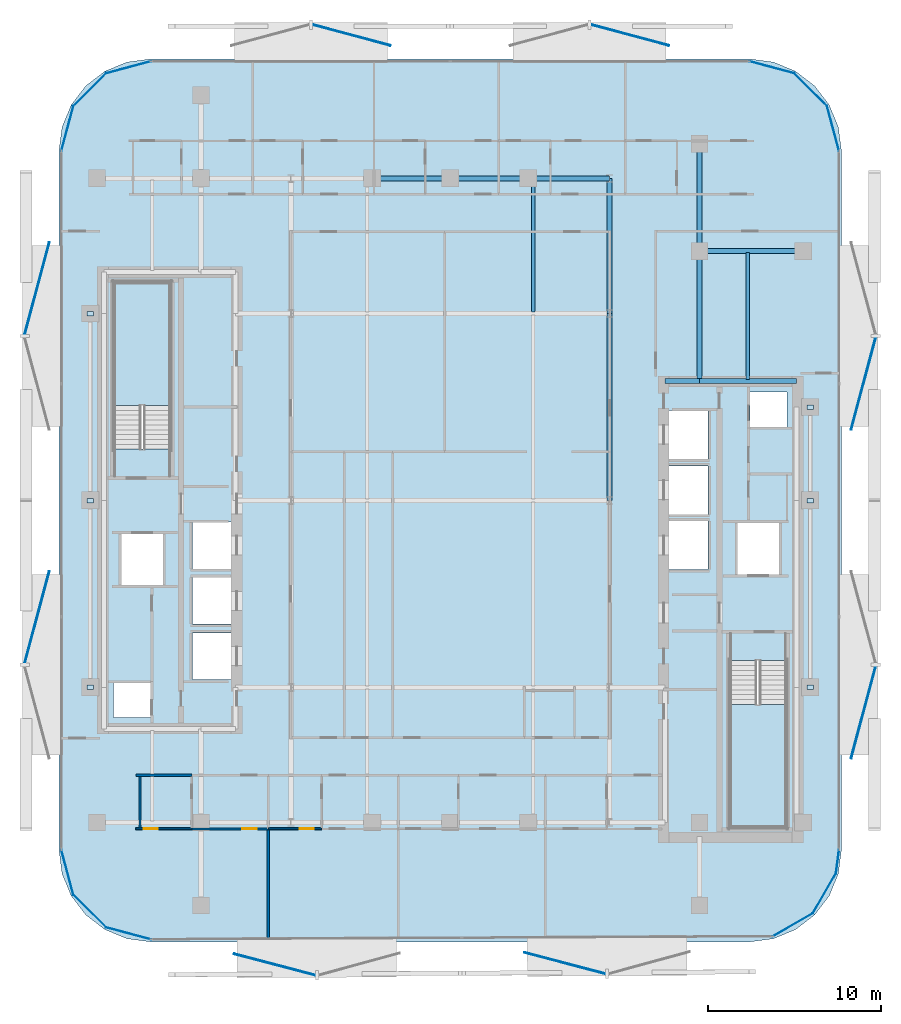
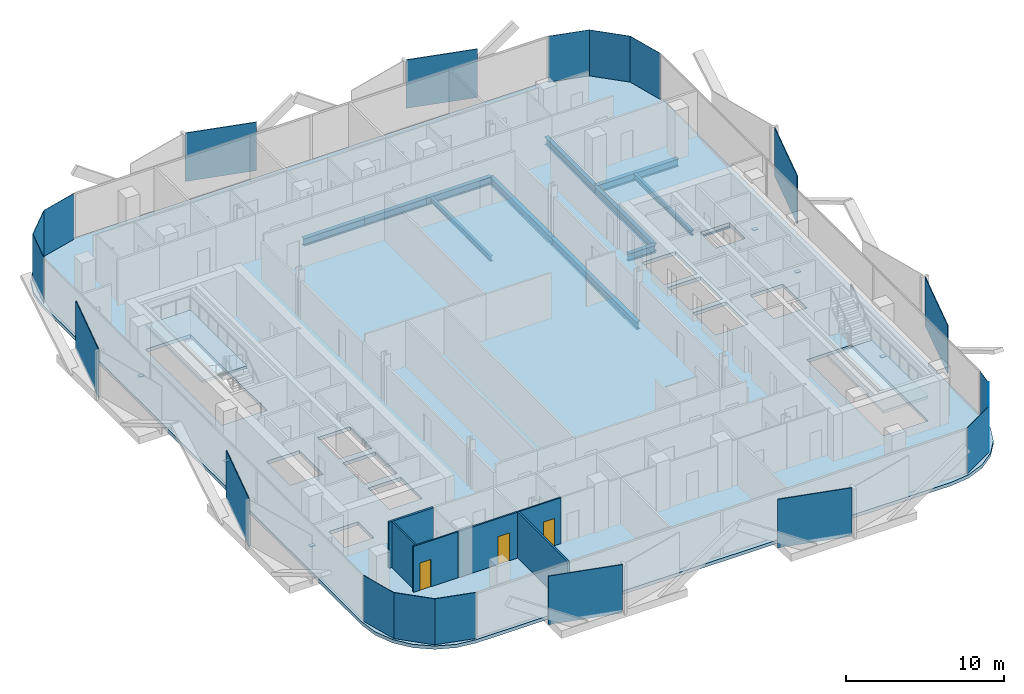
# One storey, part 2 of 17: 26 plates, 12 beams, 6 walls, 3 doors, 3 slabs, 3 openings, 2 elements without a shape of their own.
"""IFC4 building model written with IfcOpenShell, lengths in metres."""

from ifc_helpers import new_model, si_unit, direction, frame, frame_2d, origin, origin_2d, place, context, subcontext, project, spatial, polyline, rectangle, i_section, outline, extrude, material, layer, layer_set, material_profile, profile_set, type_object, element, fill, aggregate, save


model = new_model("IFC4")

# Units and contexts
model_context = context("Model", 3, precision=1e-05, world=origin(), true_north=direction((0.0, 1.0)))
body_context = subcontext(model_context, "Body", "Model", "MODEL_VIEW")
ifc_project = project(units=[si_unit("LENGTHUNIT", "METRE"), si_unit("AREAUNIT", "SQUARE_METRE"), si_unit("VOLUMEUNIT", "CUBIC_METRE"), si_unit("PLANEANGLEUNIT", "RADIAN"), si_unit("MASSUNIT", "GRAM", prefix="KILO")], contexts=[model_context])

# Site, building, storey
site_placement = place(None, origin())
site = spatial("IfcSite", under=ifc_project, at=site_placement, CompositionType="ELEMENT")
building_placement = place(site_placement, origin())
building = spatial("IfcBuilding", under=site, at=building_placement, Name="Khairoan Windgate Tower", CompositionType="ELEMENT")
storey_placement = place(building_placement, frame((0.0, 0.0, 191.60009765625)))
storey = spatial("IfcBuildingStorey", under=building, at=storey_placement, Name="L44", CompositionType="ELEMENT", Elevation=191.60009765625)

# Beams
ifc_material_1 = material(Name="Steel S355", Category="steel")
ifc_material_profile_1 = material_profile(ifc_material_1, i_section(OverallWidth=0.300048828125, OverallDepth=0.587890625, WebThickness=0.011962890625, FlangeThickness=0.02001953125, FilletRadius=0.02392578125, at=origin_2d()))
ifc_profile_set_1 = profile_set([ifc_material_profile_1], Name="Steel S355")
beam_type_1 = type_object("IfcBeamType", Name="Beam B-G4 H588x300x12x20", PredefinedType="BEAM", material=ifc_profile_set_1)
beam_1_placement = place(storey_placement, frame((12.39990234375, 6.89990234375, -0.55419921875), z_axis=(1.0, 0.0, 0.0), x_axis=(0.0, 1.0, 0.0)))
element("IfcBeam", 1, at=beam_1_placement, inside=storey, type_object=beam_type_1, Name="L44 E-W Primary Girder 15", PredefinedType="BEAM", context=body_context, shape_type="SweptSolid", body=[
    extrude(i_section(OverallWidth=0.300048828125, OverallDepth=0.587890625, WebThickness=0.011962890625, FlangeThickness=0.02001953125, FilletRadius=0.02392578125, at=origin_2d()), origin(), (0.0, 0.0, 1.0), 2.0),
])
beam_2_placement = place(storey_placement, frame((14.39990234375, 6.89990234375, -0.55419921875), z_axis=(1.0, 0.0, 0.0), x_axis=(0.0, 1.0, 0.0)))
element("IfcBeam", 2, at=beam_2_placement, inside=storey, type_object=beam_type_1, Name="L44 E-W Primary Girder 16", PredefinedType="BEAM", context=body_context, shape_type="SweptSolid", body=[
    extrude(i_section(OverallWidth=0.300048828125, OverallDepth=0.587890625, WebThickness=0.011962890625, FlangeThickness=0.02001953125, FilletRadius=0.02392578125, at=origin_2d()), origin(), (0.0, 0.0, 1.0), 5.60009765625),
])
beam_3_placement = place(storey_placement, frame((14.39990234375, 14.39990234375, -0.55419921875), z_axis=(1.0, 0.0, 0.0), x_axis=(0.0, 1.0, 0.0)))
element("IfcBeam", 3, at=beam_3_placement, inside=storey, type_object=beam_type_1, Name="L44 E-W Primary Girder 21", PredefinedType="BEAM", context=body_context, shape_type="SweptSolid", body=[
    extrude(i_section(OverallWidth=0.300048828125, OverallDepth=0.587890625, WebThickness=0.011962890625, FlangeThickness=0.02001953125, FilletRadius=0.02392578125, at=origin_2d()), origin(), (0.0, 0.0, 1.0), 6.0),
])
for number, where, z_axis, x_axis, name in (
    (4, (-4.5, 18.60009765625, -0.55419921875), (1.0, 0.0, 0.0), (0.0, 1.0, 0.0), "L44 E-W Primary Girder 25"),
    (5, (0.0, 18.60009765625, -0.55419921875), (1.0, 0.0, 0.0), (0.0, 1.0, 0.0), "L44 E-W Primary Girder 26"),
):
    element("IfcBeam", number, at=place(storey_placement, frame(where, z_axis=z_axis, x_axis=x_axis)), inside=storey, type_object=beam_type_1, Name=name, PredefinedType="BEAM", context=body_context, shape_type="SweptSolid", body=[
        extrude(i_section(OverallWidth=0.300048828125, OverallDepth=0.587890625, WebThickness=0.011962890625, FlangeThickness=0.02001953125, FilletRadius=0.02392578125, at=origin_2d()), origin(), (0.0, 0.0, 1.0), 4.5),
    ])
beam_4_placement = place(storey_placement, frame((4.5, 18.60009765625, -0.55419921875), z_axis=(1.0, 0.0, 0.0), x_axis=(0.0, 1.0, 0.0)))
element("IfcBeam", 6, at=beam_4_placement, inside=storey, type_object=beam_type_1, Name="L44 E-W Primary Girder 27", PredefinedType="BEAM", context=body_context, shape_type="SweptSolid", body=[
    extrude(i_section(OverallWidth=0.300048828125, OverallDepth=0.587890625, WebThickness=0.011962890625, FlangeThickness=0.02001953125, FilletRadius=0.02392578125, at=origin_2d()), origin(), (0.0, 0.0, 1.0), 4.699951171875),
])
beam_5_placement = place(storey_placement, frame((9.199951171875, 0.0, -0.55419921875), z_axis=(0.0, 1.0, 0.0), x_axis=(-1.0, 0.0, 0.0)))
element("IfcBeam", 7, at=beam_5_placement, inside=storey, type_object=beam_type_1, Name="L44 N-S Primary Beam 47", PredefinedType="BEAM", context=body_context, shape_type="SweptSolid", body=[
    extrude(i_section(OverallWidth=0.300048828125, OverallDepth=0.587890625, WebThickness=0.011962890625, FlangeThickness=0.02001953125, FilletRadius=0.02392578125, at=origin_2d()), origin(), (0.0, 0.0, 1.0), 10.800048828125),
])
beam_6_placement = place(storey_placement, frame((9.199951171875, 10.800048828125, -0.55419921875), z_axis=(0.0, 1.0, 0.0), x_axis=(-1.0, 0.0, 0.0)))
element("IfcBeam", 8, at=beam_6_placement, inside=storey, type_object=beam_type_1, Name="L44 N-S Primary Beam 48", PredefinedType="BEAM", context=body_context, shape_type="SweptSolid", body=[
    extrude(i_section(OverallWidth=0.300048828125, OverallDepth=0.587890625, WebThickness=0.011962890625, FlangeThickness=0.02001953125, FilletRadius=0.02392578125, at=origin_2d()), origin(), (0.0, 0.0, 1.0), 7.800048828125),
])
beam_7_placement = place(storey_placement, frame((14.39990234375, 6.89990234375, -0.55419921875), z_axis=(0.0, 1.0, 0.0), x_axis=(-1.0, 0.0, 0.0)))
element("IfcBeam", 9, at=beam_7_placement, inside=storey, type_object=beam_type_1, Name="L44 N-S Primary Beam 51", PredefinedType="BEAM", context=body_context, shape_type="SweptSolid", body=[
    extrude(i_section(OverallWidth=0.300048828125, OverallDepth=0.587890625, WebThickness=0.011962890625, FlangeThickness=0.02001953125, FilletRadius=0.02392578125, at=origin_2d()), origin(), (0.0, 0.0, 1.0), 7.5),
])
beam_8_placement = place(storey_placement, frame((14.39990234375, 14.39990234375, -0.55419921875), z_axis=(0.0, 1.0, 0.0), x_axis=(-1.0, 0.0, 0.0)))
element("IfcBeam", 10, at=beam_8_placement, inside=storey, type_object=beam_type_1, Name="L44 N-S Primary Beam 52", PredefinedType="BEAM", context=body_context, shape_type="SweptSolid", body=[
    extrude(i_section(OverallWidth=0.300048828125, OverallDepth=0.587890625, WebThickness=0.011962890625, FlangeThickness=0.02001953125, FilletRadius=0.02392578125, at=origin_2d()), origin(), (0.0, 0.0, 1.0), 6.2001953125),
])
ifc_material_2 = material(Name="Steel S355", Category="steel")
ifc_material_profile_2 = material_profile(ifc_material_2, i_section(OverallWidth=0.199951171875, OverallDepth=0.39990234375, WebThickness=0.008056640625, FlangeThickness=0.012939453125, FilletRadius=0.01611328125, at=origin_2d()))
ifc_profile_set_2 = profile_set([ifc_material_profile_2], Name="Steel S355")
beam_type_2 = type_object("IfcBeamType", Name="Beam J-S4 H400x200x8x13", PredefinedType="JOIST", material=ifc_profile_set_2)
beam_9_placement = place(storey_placement, frame((4.800048828125, 10.889892578125, -0.460205078125), z_axis=(0.0, 1.0, 0.0), x_axis=(-1.0, 0.0, 0.0)))
element("IfcBeam", 11, at=beam_9_placement, inside=storey, type_object=beam_type_2, Name="L44 Secondary Floor Joist 10", PredefinedType="JOIST", context=body_context, shape_type="SweptSolid", body=[
    extrude(i_section(OverallWidth=0.199951171875, OverallDepth=0.39990234375, WebThickness=0.008056640625, FlangeThickness=0.012939453125, FilletRadius=0.01611328125, at=origin_2d()), origin(), (0.0, 0.0, 1.0), 7.6201171875),
])
beam_10_placement = place(storey_placement, frame((17.199951171875, 6.989990234375, -0.460205078125), z_axis=(0.0, 1.0, 0.0), x_axis=(-1.0, 0.0, 0.0)))
element("IfcBeam", 12, at=beam_10_placement, inside=storey, type_object=beam_type_2, Name="L44 Secondary Floor Joist 11", PredefinedType="JOIST", context=body_context, shape_type="SweptSolid", body=[
    extrude(i_section(OverallWidth=0.199951171875, OverallDepth=0.39990234375, WebThickness=0.008056640625, FlangeThickness=0.012939453125, FilletRadius=0.01611328125, at=origin_2d()), origin(), (0.0, 0.0, 1.0), 7.320068359375),
])

# Plates
ifc_material_3 = material(Name="Low-E Solar Control Laminated Glass", Category="glass")
ifc_layer_1 = layer(ifc_material_3, 0.030029296875, Name="Low-E Solar Control Laminated Glass")
ifc_layer_set_1 = layer_set([ifc_layer_1], Name="Low-E Solar Control Laminated Glass")
plate_type_1 = type_object("IfcPlateType", Name="Aerodynamic Wind-Corner Curved Glazing Plate", PredefinedType="USERDEFINED", material=ifc_layer_set_1)
plate_1_placement = place(storey_placement, frame((-18.585205078125, -25.013916015625, 0.0), z_axis=(0.0, 0.0, 1.0), x_axis=(-0.966061211211, 0.258313252067, 0.0)))
element("IfcPlate", 13, at=plate_1_placement, inside=storey, type_object=plate_type_1, Name="L44 Aerodynamic Wind-Corner Curved Glazing Panel 2", ObjectType="GLAZING PANEL", PredefinedType="USERDEFINED", context=body_context, shape_type="SweptSolid", body=[
    extrude(rectangle(XDim=2.719482421875, YDim=0.030029296875, at=origin_2d()), origin(), (0.0, 0.0, 1.0), 3.5400390625),
])
plate_2_placement = place(storey_placement, frame((-20.823486328125, -23.723388671875, 0.0), z_axis=(0.0, 0.0, 1.0), x_axis=(-0.707106781187, 0.707106781187, 0.0)))
element("IfcPlate", 14, at=plate_2_placement, inside=storey, type_object=plate_type_1, Name="L44 Aerodynamic Wind-Corner Curved Glazing Panel 3", ObjectType="GLAZING PANEL", PredefinedType="USERDEFINED", context=body_context, shape_type="SweptSolid", body=[
    extrude(rectangle(XDim=2.710205078125, YDim=0.030029296875, at=origin_2d()), origin(), (0.0, 0.0, 1.0), 3.5400390625),
])
for number, where, z_axis, x_axis, name in (
    (15, (-22.11376953125, -21.485107421875, 0.0), (0.0, 0.0, 1.0), (-0.258313252067, 0.966061211211, 0.0), "L44 Aerodynamic Wind-Corner Curved Glazing Panel 4"),
    (16, (-22.11376953125, 21.485107421875, 0.0), (0.0, 0.0, 1.0), (0.258313252067, 0.966061211211, 0.0), "L44 Aerodynamic Wind-Corner Curved Glazing Panel 6"),
):
    element("IfcPlate", number, at=place(storey_placement, frame(where, z_axis=z_axis, x_axis=x_axis)), inside=storey, type_object=plate_type_1, Name=name, ObjectType="GLAZING PANEL", PredefinedType="USERDEFINED", context=body_context, shape_type="SweptSolid", body=[
        extrude(rectangle(XDim=2.719482421875, YDim=0.030029296875, at=origin_2d()), origin(), (0.0, 0.0, 1.0), 3.5400390625),
    ])
plate_3_placement = place(storey_placement, frame((-20.823486328125, 23.723388671875, 0.0), z_axis=(0.0, 0.0, 1.0), x_axis=(0.707106781187, 0.707106781187, 0.0)))
element("IfcPlate", 17, at=plate_3_placement, inside=storey, type_object=plate_type_1, Name="L44 Aerodynamic Wind-Corner Curved Glazing Panel 7", ObjectType="GLAZING PANEL", PredefinedType="USERDEFINED", context=body_context, shape_type="SweptSolid", body=[
    extrude(rectangle(XDim=2.710205078125, YDim=0.030029296875, at=origin_2d()), origin(), (0.0, 0.0, 1.0), 3.5400390625),
])
for number, where, z_axis, x_axis, name in (
    (18, (-18.585205078125, 25.013916015625, 0.0), (0.0, 0.0, 1.0), (0.966061211211, 0.258313252067, 0.0), "L44 Aerodynamic Wind-Corner Curved Glazing Panel 8"),
    (19, (18.585205078125, 25.013916015625, 0.0), (0.0, 0.0, 1.0), (0.966061211211, -0.258313252067, 0.0), "L44 Aerodynamic Wind-Corner Curved Glazing Panel 10"),
):
    element("IfcPlate", number, at=place(storey_placement, frame(where, z_axis=z_axis, x_axis=x_axis)), inside=storey, type_object=plate_type_1, Name=name, ObjectType="GLAZING PANEL", PredefinedType="USERDEFINED", context=body_context, shape_type="SweptSolid", body=[
        extrude(rectangle(XDim=2.719482421875, YDim=0.030029296875, at=origin_2d()), origin(), (0.0, 0.0, 1.0), 3.5400390625),
    ])
plate_4_placement = place(storey_placement, frame((20.823486328125, 23.723388671875, 0.0), z_axis=(0.0, 0.0, 1.0), x_axis=(0.707106781187, -0.707106781187, 0.0)))
element("IfcPlate", 20, at=plate_4_placement, inside=storey, type_object=plate_type_1, Name="L44 Aerodynamic Wind-Corner Curved Glazing Panel 11", ObjectType="GLAZING PANEL", PredefinedType="USERDEFINED", context=body_context, shape_type="SweptSolid", body=[
    extrude(rectangle(XDim=2.710205078125, YDim=0.030029296875, at=origin_2d()), origin(), (0.0, 0.0, 1.0), 3.5400390625),
])
plate_5_placement = place(storey_placement, frame((22.11376953125, 21.485107421875, 0.0), z_axis=(0.0, 0.0, 1.0), x_axis=(0.258313252067, -0.966061211211, 0.0)))
element("IfcPlate", 21, at=plate_5_placement, inside=storey, type_object=plate_type_1, Name="L44 Aerodynamic Wind-Corner Curved Glazing Panel 12", ObjectType="GLAZING PANEL", PredefinedType="USERDEFINED", context=body_context, shape_type="SweptSolid", body=[
    extrude(rectangle(XDim=2.719482421875, YDim=0.030029296875, at=origin_2d()), origin(), (0.0, 0.0, 1.0), 3.5400390625),
])
plate_6_placement = place(storey_placement, frame((22.37158203125, -20.863037109375, 0.0), z_axis=(0.0, 0.0, 1.0), x_axis=(-0.13052619222, -0.991444861374, 0.0)))
element("IfcPlate", 22, at=plate_6_placement, inside=storey, type_object=plate_type_1, Name="L44 Aerodynamic Wind-Corner Curved Glazing Panel 14", ObjectType="GLAZING PANEL", PredefinedType="USERDEFINED", context=body_context, shape_type="SweptSolid", body=[
    extrude(rectangle(XDim=1.39599609375, YDim=0.030029296875, at=origin_2d()), origin(), (0.0, 0.0, 1.0), 3.5400390625),
])
for number, where, z_axis, x_axis, name in (
    (23, (21.615478515625, -22.69140625, 0.0), (0.0, 0.0, 1.0), (-0.5, -0.866025403784, 0.0), "L44 Aerodynamic Wind-Corner Curved Glazing Panel 15"),
    (24, (19.79150390625, -24.515380859375, 0.0), (0.0, 0.0, 1.0), (-0.866025403784, -0.5, 0.0), "L44 Aerodynamic Wind-Corner Curved Glazing Panel 16"),
):
    element("IfcPlate", number, at=place(storey_placement, frame(where, z_axis=z_axis, x_axis=x_axis)), inside=storey, type_object=plate_type_1, Name=name, ObjectType="GLAZING PANEL", PredefinedType="USERDEFINED", context=body_context, shape_type="SweptSolid", body=[
        extrude(rectangle(XDim=2.71044921875, YDim=0.030029296875, at=origin_2d()), origin(), (0.0, 0.0, 1.0), 3.5400390625),
    ])
ifc_material_4 = material(Name="Steel S355", Category="steel")
ifc_layer_2 = layer(ifc_material_4, 0.0400390625, Name="Steel S355")
ifc_layer_set_2 = layer_set([ifc_layer_2], Name="Steel S355")
plate_type_2 = type_object("IfcPlateType", Name="Hollow Section End-Cap Plate PL-CAP40", PredefinedType="SHEET", material=ifc_layer_set_2)
for number, where, z_axis, x_axis, name in (
    (25, (-20.800048828125, -10.784912109375, -0.455078125), (0.0, 0.0, 1.0), (0.0, 1.0, 0.0), "BM-SP-L44-028 steel end-cap plate 1"),
    (26, (-20.800048828125, -0.014892578125, -0.455078125), (0.0, 0.0, 1.0), (0.0, 1.0, 0.0), "BM-SP-L44-028 steel end-cap plate 2"),
    (27, (-20.800048828125, 10.784912109375, -0.455078125), (0.0, 0.0, 1.0), (0.0, 1.0, 0.0), "BM-SP-L44-029 steel end-cap plate 2"),
    (28, (20.800048828125, -10.784912109375, -0.455078125), (0.0, 0.0, 1.0), (0.0, 1.0, 0.0), "BM-SP-L44-056 steel end-cap plate 1"),
    (29, (20.800048828125, -0.014892578125, -0.455078125), (0.0, 0.0, 1.0), (0.0, 1.0, 0.0), "BM-SP-L44-056 steel end-cap plate 2"),
    (30, (20.800048828125, 5.385009765625, -0.455078125), (0.0, 0.0, 1.0), (0.0, 1.0, 0.0), "BM-SP-L44-057 steel end-cap plate 2"),
):
    element("IfcPlate", number, at=place(storey_placement, frame(where, z_axis=z_axis, x_axis=x_axis)), inside=storey, type_object=plate_type_2, Name=name, PredefinedType="SHEET", context=body_context, shape_type="SweptSolid", body=[
        extrude(rectangle(XDim=0.27001953125, YDim=0.3701171875, at=origin_2d()), origin(), (0.0, 0.0, 1.0), 0.0400390625),
    ])
ifc_material_5 = material(Name="Anodised Bronze Aluminium 6063-T6", Category="aluminium")
ifc_layer_3 = layer(ifc_material_5, 0.054931640625, Name="Anodised Bronze Aluminium 6063-T6")
ifc_layer_set_3 = layer_set([ifc_layer_3], Name="Anodised Bronze Aluminium 6063-T6")
plate_type_3 = type_object("IfcPlateType", Name="Perforated Bronze Solar Screen Panel BSP-1", PredefinedType="USERDEFINED", material=ifc_layer_set_3)
for number, where, z_axis, x_axis, name in (
    (31, (6.623291015625, -26.733154296875, -0.10009765625), (0.0, 0.0, 1.0), (-0.967179115616, 0.254095569259, 0.0), "L44 Perforated Bronze Solar Screen Panel 289R"),
    (32, (-10.1396484375, -26.815673828125, -0.10009765625), (0.0, 0.0, 1.0), (-0.967179115616, 0.254095569259, 0.0), "L44 Perforated Bronze Solar Screen Panel 290R"),
):
    element("IfcPlate", number, at=place(storey_placement, frame(where, z_axis=z_axis, x_axis=x_axis)), inside=storey, type_object=plate_type_3, Name=name, ObjectType="SCREEN", PredefinedType="USERDEFINED", context=body_context, shape_type="SweptSolid", body=[
        extrude(rectangle(XDim=4.861083984375, YDim=0.054931640625, at=origin_2d()), origin(), (0.0, 0.0, 1.0), 3.739990234375),
    ])
for number, where, z_axis, x_axis, name in (
    (33, (-23.8671875, -6.74560546875, -0.10009765625), (0.0, 0.0, 1.0), (0.258819045103, 0.965925826289, 0.0), "L44 Perforated Bronze Solar Screen Panel 291R"),
    (34, (-23.8671875, 12.2451171875, -0.10009765625), (0.0, 0.0, 1.0), (0.258819045103, 0.965925826289, 0.0), "L44 Perforated Bronze Solar Screen Panel 292R"),
):
    element("IfcPlate", number, at=place(storey_placement, frame(where, z_axis=z_axis, x_axis=x_axis)), inside=storey, type_object=plate_type_3, Name=name, ObjectType="SCREEN", PredefinedType="USERDEFINED", context=body_context, shape_type="SweptSolid", body=[
        extrude(rectangle(XDim=5.507080078125, YDim=0.054931640625, at=origin_2d()), origin(), (0.0, 0.0, 1.0), 3.739990234375),
    ])
for number, where, z_axis, x_axis, name in (
    (35, (-5.701904296875, 26.876220703125, -0.10009765625), (0.0, 0.0, 1.0), (0.965925826289, -0.258819045103, 0.0), "L44 Perforated Bronze Solar Screen Panel 293R"),
    (36, (10.388916015625, 26.876220703125, -0.10009765625), (0.0, 0.0, 1.0), (0.965925826289, -0.258819045103, 0.0), "L44 Perforated Bronze Solar Screen Panel 294R"),
):
    element("IfcPlate", number, at=place(storey_placement, frame(where, z_axis=z_axis, x_axis=x_axis)), inside=storey, type_object=plate_type_3, Name=name, ObjectType="SCREEN", PredefinedType="USERDEFINED", context=body_context, shape_type="SweptSolid", body=[
        extrude(rectangle(XDim=4.666015625, YDim=0.054931640625, at=origin_2d()), origin(), (0.0, 0.0, 1.0), 3.739990234375),
    ])
for number, where, z_axis, x_axis, name in (
    (37, (23.8671875, 6.74560546875, -0.10009765625), (0.0, 0.0, 1.0), (-0.258819045103, -0.965925826289, 0.0), "L44 Perforated Bronze Solar Screen Panel 295R"),
    (38, (23.8671875, -12.2451171875, -0.10009765625), (0.0, 0.0, 1.0), (-0.258819045103, -0.965925826289, 0.0), "L44 Perforated Bronze Solar Screen Panel 296R"),
):
    element("IfcPlate", number, at=place(storey_placement, frame(where, z_axis=z_axis, x_axis=x_axis)), inside=storey, type_object=plate_type_3, Name=name, ObjectType="SCREEN", PredefinedType="USERDEFINED", context=body_context, shape_type="SweptSolid", body=[
        extrude(rectangle(XDim=5.507080078125, YDim=0.054931640625, at=origin_2d()), origin(), (0.0, 0.0, 1.0), 3.739990234375),
    ])

# Stair, slab
ifc_material_6 = material(Name="Concrete C40/50", Category="concrete")
stair_type = type_object("IfcStairType", Name="Tower Core Dog-Leg Stair ST-T1 1560mm", PredefinedType="HALF_TURN_STAIR", material=ifc_material_6)
stair_1_placement = place(storey_placement, origin())
stair_1 = element("IfcStair", 39, at=stair_1_placement, inside=storey, type_object=stair_type, Name="L44 Stair ST1", PredefinedType="HALF_TURN_STAIR")
ifc_material_7 = material(Name="Concrete C40/50", Category="concrete")
ifc_layer_4 = layer(ifc_material_7, 0.199951171875, Name="Concrete C40/50")
ifc_layer_set_4 = layer_set([ifc_layer_4], Name="Concrete C40/50")
slab_type_1 = type_object("IfcSlabType", Name="Reinforced Concrete Stair Landing Slab STL-200", PredefinedType="LANDING", material=ifc_layer_set_4)
slab_1_placement = place(storey_placement, frame((0.0, 0.0, 1.699951171875)))
slab_1 = element("IfcSlab", 40, at=slab_1_placement, type_object=slab_type_1, Name="ST1 landing 1", PredefinedType="LANDING", context=body_context, shape_type="SweptSolid", body=[
    extrude(outline(polyline([(16.14990234375, -11.780029296875), (16.14990234375, -18.89990234375), (19.419921875, -18.89990234375), (19.419921875, -11.780029296875), (16.14990234375, -11.780029296875)])), origin(), (0.0, 0.0, 1.0), 0.199951171875),
])
aggregate(stair_1, [slab_1])

stair_2_placement = place(storey_placement, origin())
stair_2 = element("IfcStair", 41, at=stair_2_placement, inside=storey, type_object=stair_type, Name="L44 Stair ST2", PredefinedType="HALF_TURN_STAIR")
slab_2_placement = place(storey_placement, frame((0.0, 0.0, 1.699951171875)))
slab_2 = element("IfcSlab", 42, at=slab_2_placement, type_object=slab_type_1, Name="ST2 landing 1", PredefinedType="LANDING", context=body_context, shape_type="SweptSolid", body=[
    extrude(outline(polyline([(-16.14990234375, 5.47998046875), (-16.14990234375, 12.60009765625), (-19.419921875, 12.60009765625), (-19.419921875, 5.47998046875), (-16.14990234375, 5.47998046875)])), origin(), (0.0, 0.0, 1.0), 0.199951171875),
])
aggregate(stair_2, [slab_2])

# Slab
ifc_material_8 = material(Name="Concrete C40/50", Category="concrete")
ifc_layer_5 = layer(ifc_material_8, 0.260009765625, Name="Concrete C40/50")
ifc_layer_set_5 = layer_set([ifc_layer_5], Name="Concrete C40/50")
slab_type_2 = type_object("IfcSlabType", Name="Tower Composite Floor Slab FS2 260mm", PredefinedType="FLOOR", material=ifc_layer_set_5)
slab_3_placement = place(storey_placement, frame((0.0, 0.0, -0.260009765625)))
element("IfcSlab", 43, at=slab_3_placement, inside=storey, type_object=slab_type_2, Name="L44 Structural Floor Slab", PredefinedType="FLOOR", context=body_context, shape_type="SweptSolid", body=[
    extrude(outline(polyline([(17.300048828125, -25.5), (18.671630859375, -25.3193359375), (19.949951171875, -24.789794921875), (21.047607421875, -23.94775390625), (21.889892578125, -22.85009765625), (22.41943359375, -21.57177734375), (22.60009765625, -20.199951171875), (22.60009765625, 20.199951171875), (22.41943359375, 21.57177734375), (21.889892578125, 22.85009765625), (21.047607421875, 23.94775390625), (19.949951171875, 24.789794921875), (18.671630859375, 25.3193359375), (17.300048828125, 25.5), (-17.300048828125, 25.5), (-18.671630859375, 25.3193359375), (-19.949951171875, 24.789794921875), (-21.047607421875, 23.94775390625), (-21.889892578125, 22.85009765625), (-22.41943359375, 21.57177734375), (-22.60009765625, 20.199951171875), (-22.60009765625, -20.199951171875), (-22.41943359375, -21.57177734375), (-21.889892578125, -22.85009765625), (-21.047607421875, -23.94775390625), (-19.949951171875, -24.789794921875), (-18.671630859375, -25.3193359375), (-17.300048828125, -25.5), (17.300048828125, -25.5)]), holes=[polyline([(16.14990234375, -9.260009765625), (16.14990234375, -18.89990234375), (19.419921875, -18.89990234375), (19.419921875, -9.260009765625), (16.14990234375, -9.260009765625)]), polyline([(-16.14990234375, 2.9599609375), (-16.14990234375, 12.60009765625), (-19.419921875, 12.60009765625), (-19.419921875, 2.9599609375), (-16.14990234375, 2.9599609375)]), polyline([(-14.89990234375, -3.949951171875), (-12.5, -3.949951171875), (-12.5, -1.25), (-14.89990234375, -1.25), (-14.89990234375, -3.949951171875)]), polyline([(-14.89990234375, -7.14990234375), (-12.5, -7.14990234375), (-12.5, -4.449951171875), (-14.89990234375, -4.449951171875), (-14.89990234375, -7.14990234375)]), polyline([(-14.89990234375, -10.35009765625), (-12.5, -10.35009765625), (-12.5, -7.64990234375), (-14.89990234375, -7.64990234375), (-14.89990234375, -10.35009765625)]), polyline([(12.5, 2.39990234375), (14.89990234375, 2.39990234375), (14.89990234375, 5.199951171875), (12.5, 5.199951171875), (12.5, 2.39990234375)]), polyline([(12.5, -0.800048828125), (14.89990234375, -0.800048828125), (14.89990234375, 2.0), (12.5, 2.0), (12.5, -0.800048828125)]), polyline([(12.5, -4.0), (14.89990234375, -4.0), (14.89990234375, -1.199951171875), (12.5, -1.199951171875), (12.5, -4.0)]), polyline([(16.60009765625, -4.300048828125), (19.0, -4.300048828125), (19.0, -1.300048828125), (16.60009765625, -1.300048828125), (16.60009765625, -4.300048828125)]), polyline([(-19.0, -4.89990234375), (-16.60009765625, -4.89990234375), (-16.60009765625, -1.89990234375), (-19.0, -1.89990234375), (-19.0, -4.89990234375)]), polyline([(-19.449951171875, -12.550048828125), (-17.31005859375, -12.550048828125), (-17.31005859375, -10.550048828125), (-19.449951171875, -10.550048828125), (-19.449951171875, -12.550048828125)]), polyline([(17.31005859375, 4.25), (19.449951171875, 4.25), (19.449951171875, 6.25), (17.31005859375, 6.25), (17.31005859375, 4.25)])]), origin(), (0.0, 0.0, 1.0), 0.260009765625),
])

# Wall, opening, door
ifc_material_9 = material(Name="Moisture-Resistant Gypsum Partition", Category="gypsum")
ifc_layer_6 = layer(ifc_material_9, 0.10009765625, Name="Moisture-Resistant Gypsum Partition")
ifc_layer_set_6 = layer_set([ifc_layer_6], Name="Moisture-Resistant Gypsum Partition")
wall_type_1 = type_object("IfcWallType", Name="Bathroom Wet-Area Partition Wall", PredefinedType="PARTITIONING", material=ifc_layer_set_6)
wall_1_placement = place(storey_placement, frame((-18.159912109375, -18.969970703125, 0.0), z_axis=(0.0, 0.0, 1.0), x_axis=(1.0, 0.0, 0.0)))
wall_1 = element("IfcWall", 44, at=wall_1_placement, inside=storey, type_object=wall_type_1, Name="L44 Interior Partition 078", PredefinedType="PARTITIONING", context=body_context, shape_type="SweptSolid", body=[
    extrude(rectangle(XDim=3.23583984375, YDim=0.10009765625, at=frame_2d((1.617919921875, 0.0))), origin(), (0.0, 0.0, 1.0), 3.539794921875),
])
opening_1_placement = place(wall_1_placement, frame((0.4599609375, 0.0, 0.0)))
opening_1 = element("IfcOpeningElement", 45, at=opening_1_placement, cuts=wall_1, Name="Opening ID-BTH", PredefinedType="OPENING", context=body_context, shape_type="SweptSolid", body=[
    extrude(rectangle(XDim=0.800048828125, YDim=2.10009765625, at=frame_2d((0.39990234375, 1.050048828125))), frame((0.0, 0.06005859375, 0.0), z_axis=(0.0, -1.0, 0.0), x_axis=(1.0, 0.0, 0.0)), (0.0, 0.0, 1.0), 0.1201171875),
])
ifc_material_10 = material(Name="Teak Veneer Timber Leaf", Category="wood")
door_type_1 = type_object("IfcDoorType", Name="Internal Bathroom Door ID-BTH 800x2100", OperationType="NOTDEFINED", PredefinedType="DOOR", material=ifc_material_10)
door_1_placement = place(opening_1_placement, origin())
door_1 = element("IfcDoor", 46, at=door_1_placement, inside=storey, type_object=door_type_1, Name="L44 L44-54-L44-56 Door", OperationType="SINGLE_SWING_RIGHT", OverallHeight=2.10009765625, OverallWidth=0.800048828125, PredefinedType="DOOR", context=body_context, shape_type="SweptSolid", body=[
    extrude(rectangle(XDim=0.800048828125, YDim=2.10009765625, at=frame_2d((0.39990234375, 1.050048828125))), frame((0.0, 0.02490234375, 0.0), z_axis=(0.0, -1.0, 0.0), x_axis=(1.0, 0.0, 0.0)), (0.0, 0.0, 1.0), 0.050048828125),
])
fill(opening_1, door_1)

wall_2_placement = place(storey_placement, frame((-10.5, -18.969970703125, 0.0), z_axis=(0.0, 0.0, 1.0), x_axis=(1.0, 0.0, 0.0)))
wall_2 = element("IfcWall", 47, at=wall_2_placement, inside=storey, type_object=wall_type_1, Name="L44 Interior Partition 083", PredefinedType="PARTITIONING", context=body_context, shape_type="SweptSolid", body=[
    extrude(rectangle(XDim=3.075927734375, YDim=0.10009765625, at=frame_2d((1.5380859375, 0.0))), origin(), (0.0, 0.0, 1.0), 3.539794921875),
])
opening_2_placement = place(wall_2_placement, frame((1.81591796875, 0.0, 0.0)))
opening_2 = element("IfcOpeningElement", 48, at=opening_2_placement, cuts=wall_2, Name="Opening ID-BTH", PredefinedType="OPENING", context=body_context, shape_type="SweptSolid", body=[
    extrude(rectangle(XDim=0.800048828125, YDim=2.10009765625, at=frame_2d((0.39990234375, 1.050048828125))), frame((0.0, 0.06005859375, 0.0), z_axis=(0.0, -1.0, 0.0), x_axis=(1.0, 0.0, 0.0)), (0.0, 0.0, 1.0), 0.1201171875),
])
door_2_placement = place(opening_2_placement, origin())
door_2 = element("IfcDoor", 49, at=door_2_placement, inside=storey, type_object=door_type_1, Name="L44 L44-57-L44-59 Door", OperationType="SINGLE_SWING_LEFT", OverallHeight=2.10009765625, OverallWidth=0.800048828125, PredefinedType="DOOR", context=body_context, shape_type="SweptSolid", body=[
    extrude(rectangle(XDim=0.800048828125, YDim=2.10009765625, at=frame_2d((0.39990234375, 1.050048828125))), frame((0.0, 0.02490234375, 0.0), z_axis=(0.0, -1.0, 0.0), x_axis=(1.0, 0.0, 0.0)), (0.0, 0.0, 1.0), 0.050048828125),
])
fill(opening_2, door_2)

# Walls
wall_3_placement = place(storey_placement, frame((-17.919921875, -18.919921875, 0.0), z_axis=(0.0, 0.0, 1.0), x_axis=(0.0, 1.0, 0.0)))
element("IfcWall", 50, at=wall_3_placement, inside=storey, type_object=wall_type_1, Name="L44 Wet Room Side Wall 099", PredefinedType="PARTITIONING", context=body_context, shape_type="SweptSolid", body=[
    extrude(rectangle(XDim=2.96484375, YDim=0.10009765625, at=frame_2d((1.482421875, 0.0))), origin(), (0.0, 0.0, 1.0), 3.539794921875),
])
ifc_material_11 = material(Name="Acoustic Fire-Rated Gypsum Partition", Category="gypsum")
ifc_layer_7 = layer(ifc_material_11, 0.139892578125, Name="Acoustic Fire-Rated Gypsum Partition")
ifc_layer_set_7 = layer_set([ifc_layer_7], Name="Acoustic Fire-Rated Gypsum Partition")
wall_type_2 = type_object("IfcWallType", Name="Inter-Tenancy Compartment Wall", PredefinedType="PARTITIONING", material=ifc_layer_set_7)
wall_4_placement = place(storey_placement, frame((-10.5, -25.321533203125, 0.0), z_axis=(0.0, 0.0, 1.0), x_axis=(0.0, 1.0, 0.0)))
element("IfcWall", 51, at=wall_4_placement, inside=storey, type_object=wall_type_2, Name="L44 Interior Partition 081", PredefinedType="PARTITIONING", context=body_context, shape_type="SweptSolid", body=[
    extrude(rectangle(XDim=6.3515625, YDim=0.139892578125, at=frame_2d((3.17578125, 0.0))), origin(), (0.0, 0.0, 1.0), 3.539794921875),
])

# Wall, opening, door
ifc_material_12 = material(Name="Gypsum Stud Partition", Category="gypsum")
ifc_layer_8 = layer(ifc_material_12, 0.1201171875, Name="Gypsum Stud Partition")
ifc_layer_set_8 = layer_set([ifc_layer_8], Name="Gypsum Stud Partition")
wall_type_3 = type_object("IfcWallType", Name="Internal Room Partition Wall", PredefinedType="PARTITIONING", material=ifc_layer_set_8)
wall_5_placement = place(storey_placement, frame((-14.924072265625, -18.969970703125, 0.0), z_axis=(0.0, 0.0, 1.0), x_axis=(1.0, 0.0, 0.0)))
wall_5 = element("IfcWall", 52, at=wall_5_placement, inside=storey, type_object=wall_type_3, Name="L44 Interior Partition 079", PredefinedType="PARTITIONING", context=body_context, shape_type="SweptSolid", body=[
    extrude(rectangle(XDim=4.424072265625, YDim=0.1201171875, at=frame_2d((2.2119140625, 0.0))), origin(), (0.0, 0.0, 1.0), 3.539794921875),
])
opening_3_placement = place(wall_5_placement, frame((2.900634765625, 0.0, 0.0)))
opening_3 = element("IfcOpeningElement", 53, at=opening_3_placement, cuts=wall_5, Name="Opening ID-RM", PredefinedType="OPENING", context=body_context, shape_type="SweptSolid", body=[
    extrude(rectangle(XDim=0.860107421875, YDim=2.14990234375, at=frame_2d((0.43017578125, 1.074951171875))), frame((0.0, 0.070068359375, 0.0), z_axis=(0.0, -1.0, 0.0), x_axis=(1.0, 0.0, 0.0)), (0.0, 0.0, 1.0), 0.14013671875),
])
ifc_material_13 = material(Name="Teak Veneer Timber Leaf", Category="wood")
door_type_2 = type_object("IfcDoorType", Name="Internal Bedroom and Office Door ID-RM 860x2150", OperationType="NOTDEFINED", PredefinedType="DOOR", material=ifc_material_13)
door_3_placement = place(opening_3_placement, origin())
door_3 = element("IfcDoor", 54, at=door_3_placement, inside=storey, type_object=door_type_2, Name="L44 L44-55-L44-56 Door", OperationType="SINGLE_SWING_LEFT", OverallHeight=2.14990234375, OverallWidth=0.860107421875, PredefinedType="DOOR", context=body_context, shape_type="SweptSolid", body=[
    extrude(rectangle(XDim=0.860107421875, YDim=2.14990234375, at=frame_2d((0.43017578125, 1.074951171875))), frame((0.0, 0.02490234375, 0.0), z_axis=(0.0, -1.0, 0.0), x_axis=(1.0, 0.0, 0.0)), (0.0, 0.0, 1.0), 0.050048828125),
])
fill(opening_3, door_3)

# Wall
ifc_material_14 = material(Name="Acoustic Fire-Rated Gypsum Partition", Category="gypsum")
ifc_layer_9 = layer(ifc_material_14, 0.14990234375, Name="Acoustic Fire-Rated Gypsum Partition")
ifc_layer_set_9 = layer_set([ifc_layer_9], Name="Acoustic Fire-Rated Gypsum Partition")
wall_type_4 = type_object("IfcWallType", Name="Rated Corridor Partition Wall", PredefinedType="PARTITIONING", material=ifc_layer_set_9)
wall_6_placement = place(storey_placement, frame((-18.159912109375, -15.8798828125, 0.0), z_axis=(0.0, 0.0, 1.0), x_axis=(1.0, 0.0, 0.0)))
element("IfcWall", 55, at=wall_6_placement, inside=storey, type_object=wall_type_4, Name="L44 Interior Partition 035", PredefinedType="PARTITIONING", context=body_context, shape_type="SweptSolid", body=[
    extrude(rectangle(XDim=3.23583984375, YDim=0.14990234375, at=frame_2d((1.617919921875, 0.0))), origin(), (0.0, 0.0, 1.0), 3.539794921875),
])

save(model, "model.ifc")
